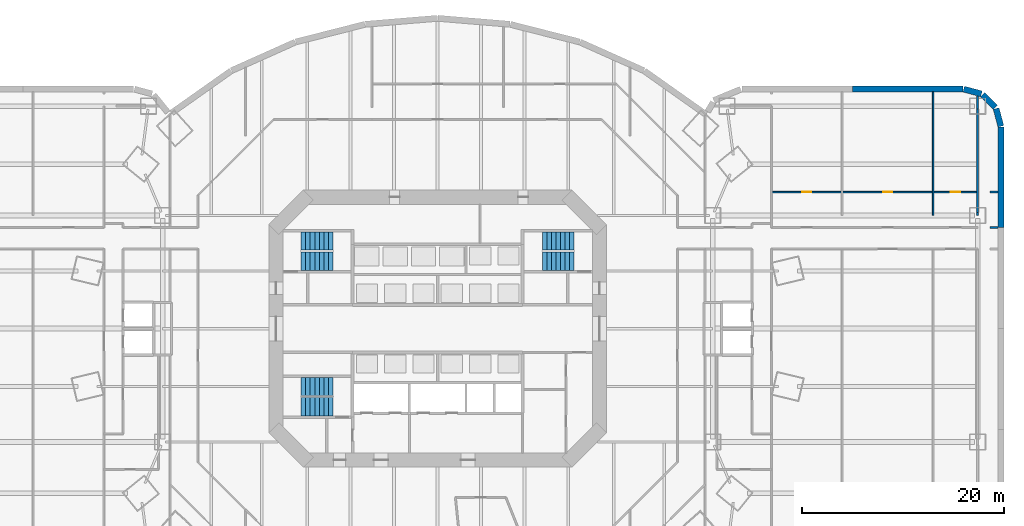
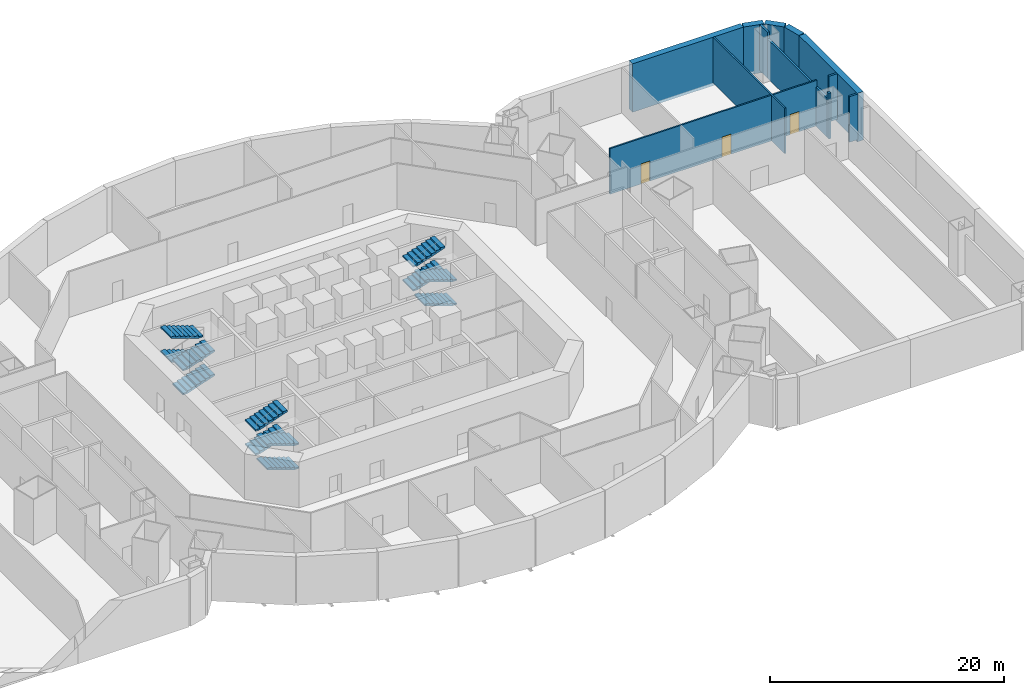
# One storey, part 9 of 11: 12 stair flights, 12 walls, 3 doors, 3 openings, 3 elements without a shape of their own.
"""IFC4 building model written with IfcOpenShell, lengths in metres."""

from ifc_helpers import new_model, si_unit, direction, frame, frame_2d, origin, place, context, subcontext, project, spatial, polyline, rectangle, outline, extrude, material, layer, layer_set, type_object, element, fill, aggregate, save


model = new_model("IFC4")

# Units and contexts
model_context = context("Model", 3, precision=1e-05, world=origin(), true_north=direction((0.0, 1.0)))
body_context = subcontext(model_context, "Body", "Model", "MODEL_VIEW")
ifc_project = project(units=[si_unit("LENGTHUNIT", "METRE"), si_unit("AREAUNIT", "SQUARE_METRE"), si_unit("VOLUMEUNIT", "CUBIC_METRE"), si_unit("PLANEANGLEUNIT", "RADIAN"), si_unit("MASSUNIT", "GRAM", prefix="KILO")], contexts=[model_context])

# Site, building, storey
site_placement = place(None, origin())
site = spatial("IfcSite", under=ifc_project, at=site_placement, CompositionType="ELEMENT")
building_placement = place(site_placement, origin())
building = spatial("IfcBuilding", under=site, at=building_placement, Name="Marenthal Gate Tower", CompositionType="ELEMENT")
storey_placement = place(building_placement, frame((0.0, 0.0, -5.0)))
storey = spatial("IfcBuildingStorey", under=building, at=storey_placement, Name="B1", CompositionType="ELEMENT", Elevation=-5.0)

# Walls
ifc_material_1 = material(Name="Concrete 50 MPa", Category="concrete")
ifc_layer_1 = layer(ifc_material_1, 0.60009765625)
ifc_layer_set_1 = layer_set([ifc_layer_1], Name="BASEMENT WALL 600")
wall_type_1 = type_object("IfcWallType", Name="BASEMENT WALL 600", PredefinedType="SOLIDWALL", material=ifc_layer_set_1)
wall_1_placement = place(storey_placement, frame((55.699951171875, 9.99072265625, -0.300048828125), z_axis=(0.0, 0.0, 1.0), x_axis=(0.0, 1.0, 0.0)))
element("IfcWall", 1, at=wall_1_placement, inside=storey, type_object=wall_type_1, Name="BW-B1-19", PredefinedType="SOLIDWALL", context=body_context, shape_type="SweptSolid", body=[
    extrude(rectangle(XDim=9.9501953125, YDim=0.60009765625, at=frame_2d((4.97509765625, 0.0))), origin(), (0.0, 0.0, 1.0), 5.050048828125),
])
wall_2_placement = place(storey_placement, frame((55.690185546875, 20.0166015625, -0.300048828125), z_axis=(0.0, 0.0, 1.0), x_axis=(-0.257411521733, 0.966301872336, 0.0)))
element("IfcWall", 2, at=wall_2_placement, inside=storey, type_object=wall_type_1, Name="BW-B1-20", PredefinedType="SOLIDWALL", context=body_context, shape_type="SweptSolid", body=[
    extrude(rectangle(XDim=1.8154296875, YDim=0.60009765625, at=frame_2d((0.90771484375, 0.0))), origin(), (0.0, 0.0, 1.0), 5.050048828125),
])
wall_3_placement = place(storey_placement, frame((55.146484375, 21.904052734375, -0.300048828125), z_axis=(0.0, 0.0, 1.0), x_axis=(-0.707037214875, 0.707176340655, 0.0)))
element("IfcWall", 3, at=wall_3_placement, inside=storey, type_object=wall_type_1, Name="BW-B1-21", PredefinedType="SOLIDWALL", context=body_context, shape_type="SweptSolid", body=[
    extrude(rectangle(XDim=1.7548828125, YDim=0.60009765625, at=frame_2d((0.87744140625, 0.0))), origin(), (0.0, 0.0, 1.0), 5.050048828125),
])
wall_4_placement = place(storey_placement, frame((53.77294921875, 23.22216796875, -0.300048828125), z_axis=(0.0, 0.0, 1.0), x_axis=(-0.966252788837, 0.257595706611, 0.0)))
element("IfcWall", 4, at=wall_4_placement, inside=storey, type_object=wall_type_1, Name="BW-B1-22", PredefinedType="SOLIDWALL", context=body_context, shape_type="SweptSolid", body=[
    extrude(rectangle(XDim=1.81591796875, YDim=0.60009765625, at=frame_2d((0.907958984375, 0.0))), origin(), (0.0, 0.0, 1.0), 5.050048828125),
])
wall_5_placement = place(storey_placement, frame((51.94287109375, 23.699951171875, -0.300048828125), z_axis=(0.0, 0.0, 1.0), x_axis=(-1.0, 0.0, 0.0)))
element("IfcWall", 5, at=wall_5_placement, inside=storey, type_object=wall_type_1, Name="BW-B1-23", PredefinedType="SOLIDWALL", context=body_context, shape_type="SweptSolid", body=[
    extrude(rectangle(XDim=10.94287109375, YDim=0.60009765625, at=frame_2d((5.471435546875, 0.0))), origin(), (0.0, 0.0, 1.0), 5.050048828125),
])

# Wall, openings, doors
ifc_material_2 = material(Name="Gypsum board on steel studs", Category="steel")
ifc_layer_2 = layer(ifc_material_2, 0.14990234375)
ifc_layer_set_2 = layer_set([ifc_layer_2], Name="Partition 150")
wall_type_2 = type_object("IfcWallType", Name="Partition 150", PredefinedType="PARTITIONING", material=ifc_layer_set_2)
wall_6_placement = place(storey_placement, frame((33.0, 13.5, 0.0), z_axis=(0.0, 0.0, 1.0), x_axis=(1.0, 0.0, 0.0)))
wall_6 = element("IfcWall", 6, at=wall_6_placement, inside=storey, type_object=wall_type_2, Name="Partition wall 90", PredefinedType="PARTITIONING", context=body_context, shape_type="SweptSolid", body=[
    extrude(rectangle(XDim=20.39990234375, YDim=0.14990234375, at=frame_2d((10.199951171875, 0.0))), origin(), (0.0, 0.0, 1.0), 4.75),
])
opening_1_placement = place(wall_6_placement, frame((3.050048828125, 0.0, 0.0)))
opening_1 = element("IfcOpeningElement", 7, at=opening_1_placement, cuts=wall_6, Name="Opening D011.09", PredefinedType="OPENING", context=body_context, shape_type="SweptSolid", body=[
    extrude(rectangle(XDim=0.89990234375, YDim=2.10009765625, at=frame_2d((0.449951171875, 1.050048828125))), frame((0.0, 0.0849609375, 0.0), z_axis=(0.0, -1.0, 0.0), x_axis=(1.0, 0.0, 0.0)), (0.0, 0.0, 1.0), 0.169921875),
])
opening_2_placement = place(wall_6_placement, frame((11.050048828125, 0.0, 0.0)))
opening_2 = element("IfcOpeningElement", 8, at=opening_2_placement, cuts=wall_6, Name="Opening D011.10", PredefinedType="OPENING", context=body_context, shape_type="SweptSolid", body=[
    extrude(rectangle(XDim=0.89990234375, YDim=2.10009765625, at=frame_2d((0.449951171875, 1.050048828125))), frame((0.0, 0.0849609375, 0.0), z_axis=(0.0, -1.0, 0.0), x_axis=(1.0, 0.0, 0.0)), (0.0, 0.0, 1.0), 0.169921875),
])
opening_3_placement = place(wall_6_placement, frame((17.75, 0.0, 0.0)))
opening_3 = element("IfcOpeningElement", 9, at=opening_3_placement, cuts=wall_6, Name="Opening D011.11", PredefinedType="OPENING", context=body_context, shape_type="SweptSolid", body=[
    extrude(rectangle(XDim=0.89990234375, YDim=2.10009765625, at=frame_2d((0.449951171875, 1.050048828125))), frame((0.0, 0.0849609375, 0.0), z_axis=(0.0, -1.0, 0.0), x_axis=(1.0, 0.0, 0.0)), (0.0, 0.0, 1.0), 0.169921875),
])
ifc_material_3 = material(Name="Timber door", Category="wood")
door_type = type_object("IfcDoorType", Name="Door 900 x 2100", OperationType="NOTDEFINED", PredefinedType="DOOR", material=ifc_material_3)
door_1_placement = place(opening_1_placement, frame((0.89990234375, 0.0, 0.0), z_axis=(0.0, 0.0, 1.0), x_axis=(-1.0, 0.0, 0.0)))
door_1 = element("IfcDoor", 10, at=door_1_placement, inside=storey, type_object=door_type, Name="Door D011.09", OperationType="SINGLE_SWING_LEFT", OverallHeight=2.10009765625, OverallWidth=0.89990234375, PredefinedType="DOOR", context=body_context, shape_type="SweptSolid", body=[
    extrude(rectangle(XDim=0.89990234375, YDim=2.10009765625, at=frame_2d((0.449951171875, 1.050048828125))), frame((0.0, 0.02490234375, 0.0), z_axis=(0.0, -1.0, 0.0), x_axis=(1.0, 0.0, 0.0)), (0.0, 0.0, 1.0), 0.050048828125),
])
fill(opening_1, door_1)
door_2_placement = place(opening_2_placement, frame((0.89990234375, 0.0, 0.0), z_axis=(0.0, 0.0, 1.0), x_axis=(-1.0, 0.0, 0.0)))
door_2 = element("IfcDoor", 11, at=door_2_placement, inside=storey, type_object=door_type, Name="Door D011.10", OperationType="SINGLE_SWING_LEFT", OverallHeight=2.10009765625, OverallWidth=0.89990234375, PredefinedType="DOOR", context=body_context, shape_type="SweptSolid", body=[
    extrude(rectangle(XDim=0.89990234375, YDim=2.10009765625, at=frame_2d((0.449951171875, 1.050048828125))), frame((0.0, 0.02490234375, 0.0), z_axis=(0.0, -1.0, 0.0), x_axis=(1.0, 0.0, 0.0)), (0.0, 0.0, 1.0), 0.050048828125),
])
fill(opening_2, door_2)
door_3_placement = place(opening_3_placement, frame((0.89990234375, 0.0, 0.0), z_axis=(0.0, 0.0, 1.0), x_axis=(-1.0, 0.0, 0.0)))
door_3 = element("IfcDoor", 12, at=door_3_placement, inside=storey, type_object=door_type, Name="Door D011.11", OperationType="SINGLE_SWING_LEFT", OverallHeight=2.10009765625, OverallWidth=0.89990234375, PredefinedType="DOOR", context=body_context, shape_type="SweptSolid", body=[
    extrude(rectangle(XDim=0.89990234375, YDim=2.10009765625, at=frame_2d((0.449951171875, 1.050048828125))), frame((0.0, 0.02490234375, 0.0), z_axis=(0.0, -1.0, 0.0), x_axis=(1.0, 0.0, 0.0)), (0.0, 0.0, 1.0), 0.050048828125),
])
fill(opening_3, door_3)

# Walls
wall_7_placement = place(storey_placement, frame((49.0, 11.199951171875, 0.0), z_axis=(0.0, 0.0, 1.0), x_axis=(0.0, 1.0, 0.0)))
element("IfcWall", 13, at=wall_7_placement, inside=storey, type_object=wall_type_2, Name="Partition wall 95", PredefinedType="PARTITIONING", context=body_context, shape_type="SweptSolid", body=[
    extrude(rectangle(XDim=12.2099609375, YDim=0.14990234375, at=frame_2d((6.10498046875, 0.0))), origin(), (0.0, 0.0, 1.0), 4.75),
])
ifc_material_4 = material(Name="Gypsum board on steel studs", Category="steel")
ifc_layer_3 = layer(ifc_material_4, 0.199951171875)
ifc_layer_set_3 = layer_set([ifc_layer_3], Name="Partition 200")
wall_type_3 = type_object("IfcWallType", Name="Partition 200", PredefinedType="PARTITIONING", material=ifc_layer_set_3)
wall_8_placement = place(storey_placement, frame((54.594970703125, 10.0, 0.0), z_axis=(0.0, 0.0, 1.0), x_axis=(1.0, 0.0, 0.0)))
element("IfcWall", 14, at=wall_8_placement, inside=storey, type_object=wall_type_3, Name="Partition wall 27", PredefinedType="PARTITIONING", context=body_context, shape_type="SweptSolid", body=[
    extrude(rectangle(XDim=0.804931640625, YDim=0.199951171875, at=frame_2d((0.40234375, 0.0))), origin(), (0.0, 0.0, 1.0), 4.75),
])
wall_9_placement = place(storey_placement, frame((54.594970703125, 13.5, 0.0), z_axis=(0.0, 0.0, 1.0), x_axis=(1.0, 0.0, 0.0)))
element("IfcWall", 15, at=wall_9_placement, inside=storey, type_object=wall_type_3, Name="Partition wall 28", PredefinedType="PARTITIONING", context=body_context, shape_type="SweptSolid", body=[
    extrude(rectangle(XDim=0.81494140625, YDim=0.199951171875, at=frame_2d((0.407470703125, 0.0))), origin(), (0.0, 0.0, 1.0), 4.75),
])
wall_10_placement = place(storey_placement, frame((53.39990234375, 11.199951171875, 0.0), z_axis=(0.0, 0.0, 1.0), x_axis=(0.0, 1.0, 0.0)))
element("IfcWall", 16, at=wall_10_placement, inside=storey, type_object=wall_type_3, Name="Partition wall 32", PredefinedType="PARTITIONING", context=body_context, shape_type="SweptSolid", body=[
    extrude(rectangle(XDim=0.300048828125, YDim=0.199951171875, at=frame_2d((0.14990234375, 0.0))), origin(), (0.0, 0.0, 1.0), 4.75),
])
wall_11_placement = place(storey_placement, frame((53.39990234375, 11.5, 0.0), z_axis=(0.0, 0.0, 1.0), x_axis=(0.0, 1.0, 0.0)))
element("IfcWall", 17, at=wall_11_placement, inside=storey, type_object=wall_type_3, Name="Partition wall 166", PredefinedType="PARTITIONING", context=body_context, shape_type="SweptSolid", body=[
    extrude(rectangle(XDim=10.199951171875, YDim=0.199951171875, at=frame_2d((5.10009765625, 0.0))), origin(), (0.0, 0.0, 1.0), 4.06689453125),
])
wall_12_placement = place(storey_placement, frame((53.39990234375, 21.699951171875, 0.0), z_axis=(0.0, 0.0, 1.0), x_axis=(0.0, 1.0, 0.0)))
element("IfcWall", 18, at=wall_12_placement, inside=storey, type_object=wall_type_3, Name="Partition wall 167", PredefinedType="PARTITIONING", context=body_context, shape_type="SweptSolid", body=[
    extrude(rectangle(XDim=1.3154296875, YDim=0.199951171875, at=frame_2d((0.65771484375, 0.0))), origin(), (0.0, 0.0, 1.0), 4.75),
])

# Stair, stair flights
ifc_material_5 = material(Name="Concrete 40 MPa", Category="concrete")
stair_type = type_object("IfcStairType", Name="Exit stair 1800", PredefinedType="HALF_TURN_STAIR", material=ifc_material_5)
stair_1_placement = place(storey_placement, origin())
stair_1 = element("IfcStair", 19, at=stair_1_placement, inside=storey, type_object=stair_type, Name="Stair ST1", PredefinedType="HALF_TURN_STAIR")
ifc_material_6 = material(Name="Concrete 40 MPa", Category="concrete")
stair_flight_type = type_object("IfcStairFlightType", Name="Stair flight 1800", PredefinedType="STRAIGHT", material=ifc_material_6)
stair_flight_1_placement = place(storey_placement, frame((-13.5, 6.675048828125, 0.0), z_axis=(0.0, 0.0, 1.0), x_axis=(1.0, 0.0, 0.0)))
stair_flight_1 = element("IfcStairFlight", 20, at=stair_flight_1_placement, type_object=stair_flight_type, Name="ST1 flight 1", NumberOfRisers=8, NumberOfTreads=7, PredefinedType="STRAIGHT", RiserHeight=0.15625, TreadLength=0.45, context=body_context, shape_type="SweptSolid", body=[
    extrude(outline(polyline([(0.0, 0.0), (0.0, 0.15625), (0.449951171875, 0.15625), (0.449951171875, 0.3125), (0.89990234375, 0.3125), (0.89990234375, 0.46875), (1.35009765625, 0.46875), (1.35009765625, 0.625), (1.800048828125, 0.625), (1.800048828125, 0.78125), (2.25, 0.78125), (2.25, 0.9375), (2.699951171875, 0.9375), (2.699951171875, 1.09375), (3.14990234375, 1.09375), (3.14990234375, 1.25), (3.14990234375, 0.93505859375), (0.45703125, 0.0), (0.0, 0.0)])), frame((0.0, 0.89990234375, 0.0), z_axis=(0.0, -1.0, 0.0), x_axis=(1.0, 0.0, 0.0)), (0.0, 0.0, 1.0), 1.800048828125),
])
stair_flight_2_placement = place(storey_placement, frame((-10.35009765625, 8.675048828125, 1.25), z_axis=(0.0, 0.0, 1.0), x_axis=(-1.0, 0.0, 0.0)))
stair_flight_2 = element("IfcStairFlight", 21, at=stair_flight_2_placement, type_object=stair_flight_type, Name="ST1 flight 2", NumberOfRisers=8, NumberOfTreads=7, PredefinedType="STRAIGHT", RiserHeight=0.15625, TreadLength=0.45, context=body_context, shape_type="SweptSolid", body=[
    extrude(outline(polyline([(0.0, 0.0), (0.0, 0.15625), (0.449951171875, 0.15625), (0.449951171875, 0.3125), (0.89990234375, 0.3125), (0.89990234375, 0.46875), (1.35009765625, 0.46875), (1.35009765625, 0.625), (1.800048828125, 0.625), (1.800048828125, 0.78125), (2.25, 0.78125), (2.25, 0.9375), (2.699951171875, 0.9375), (2.699951171875, 1.09375), (3.14990234375, 1.09375), (3.14990234375, 1.25), (3.14990234375, 0.93505859375), (0.45703125, 0.0), (0.0, 0.0)])), frame((0.0, 0.89990234375, 0.0), z_axis=(0.0, -1.0, 0.0), x_axis=(1.0, 0.0, 0.0)), (0.0, 0.0, 1.0), 1.800048828125),
])
stair_flight_3_placement = place(storey_placement, frame((-13.5, 6.675048828125, 2.5), z_axis=(0.0, 0.0, 1.0), x_axis=(1.0, 0.0, 0.0)))
stair_flight_3 = element("IfcStairFlight", 22, at=stair_flight_3_placement, type_object=stair_flight_type, Name="ST1 flight 3", NumberOfRisers=8, NumberOfTreads=7, PredefinedType="STRAIGHT", RiserHeight=0.15625, TreadLength=0.45, context=body_context, shape_type="SweptSolid", body=[
    extrude(outline(polyline([(0.0, 0.0), (0.0, 0.15625), (0.449951171875, 0.15625), (0.449951171875, 0.3125), (0.89990234375, 0.3125), (0.89990234375, 0.46875), (1.35009765625, 0.46875), (1.35009765625, 0.625), (1.800048828125, 0.625), (1.800048828125, 0.78125), (2.25, 0.78125), (2.25, 0.9375), (2.699951171875, 0.9375), (2.699951171875, 1.09375), (3.14990234375, 1.09375), (3.14990234375, 1.25), (3.14990234375, 0.93505859375), (0.45703125, 0.0), (0.0, 0.0)])), frame((0.0, 0.89990234375, 0.0), z_axis=(0.0, -1.0, 0.0), x_axis=(1.0, 0.0, 0.0)), (0.0, 0.0, 1.0), 1.800048828125),
])
stair_flight_4_placement = place(storey_placement, frame((-10.35009765625, 8.675048828125, 3.75), z_axis=(0.0, 0.0, 1.0), x_axis=(-1.0, 0.0, 0.0)))
stair_flight_4 = element("IfcStairFlight", 23, at=stair_flight_4_placement, type_object=stair_flight_type, Name="ST1 flight 4", NumberOfRisers=8, NumberOfTreads=7, PredefinedType="STRAIGHT", RiserHeight=0.15625, TreadLength=0.45, context=body_context, shape_type="SweptSolid", body=[
    extrude(outline(polyline([(0.0, 0.0), (0.0, 0.15625), (0.449951171875, 0.15625), (0.449951171875, 0.3125), (0.89990234375, 0.3125), (0.89990234375, 0.46875), (1.35009765625, 0.46875), (1.35009765625, 0.625), (1.800048828125, 0.625), (1.800048828125, 0.78125), (2.25, 0.78125), (2.25, 0.9375), (2.699951171875, 0.9375), (2.699951171875, 1.09375), (3.14990234375, 1.09375), (3.14990234375, 1.25), (3.14990234375, 0.93505859375), (0.45703125, 0.0), (0.0, 0.0)])), frame((0.0, 0.89990234375, 0.0), z_axis=(0.0, -1.0, 0.0), x_axis=(1.0, 0.0, 0.0)), (0.0, 0.0, 1.0), 1.800048828125),
])
aggregate(stair_1, [stair_flight_1, stair_flight_2, stair_flight_3, stair_flight_4])

stair_2_placement = place(storey_placement, origin())
stair_2 = element("IfcStair", 24, at=stair_2_placement, inside=storey, type_object=stair_type, Name="Stair ST2", PredefinedType="HALF_TURN_STAIR")
stair_flight_5_placement = place(storey_placement, frame((-10.35009765625, -7.72509765625, 0.0), z_axis=(0.0, 0.0, 1.0), x_axis=(-1.0, 0.0, 0.0)))
stair_flight_5 = element("IfcStairFlight", 25, at=stair_flight_5_placement, type_object=stair_flight_type, Name="ST2 flight 1", NumberOfRisers=8, NumberOfTreads=7, PredefinedType="STRAIGHT", RiserHeight=0.15625, TreadLength=0.45, context=body_context, shape_type="SweptSolid", body=[
    extrude(outline(polyline([(0.0, 0.0), (0.0, 0.15625), (0.449951171875, 0.15625), (0.449951171875, 0.3125), (0.89990234375, 0.3125), (0.89990234375, 0.46875), (1.35009765625, 0.46875), (1.35009765625, 0.625), (1.800048828125, 0.625), (1.800048828125, 0.78125), (2.25, 0.78125), (2.25, 0.9375), (2.699951171875, 0.9375), (2.699951171875, 1.09375), (3.14990234375, 1.09375), (3.14990234375, 1.25), (3.14990234375, 0.93505859375), (0.45703125, 0.0), (0.0, 0.0)])), frame((0.0, 0.89990234375, 0.0), z_axis=(0.0, -1.0, 0.0), x_axis=(1.0, 0.0, 0.0)), (0.0, 0.0, 1.0), 1.800048828125),
])
stair_flight_6_placement = place(storey_placement, frame((-13.5, -5.72509765625, 1.25), z_axis=(0.0, 0.0, 1.0), x_axis=(1.0, 0.0, 0.0)))
stair_flight_6 = element("IfcStairFlight", 26, at=stair_flight_6_placement, type_object=stair_flight_type, Name="ST2 flight 2", NumberOfRisers=8, NumberOfTreads=7, PredefinedType="STRAIGHT", RiserHeight=0.15625, TreadLength=0.45, context=body_context, shape_type="SweptSolid", body=[
    extrude(outline(polyline([(0.0, 0.0), (0.0, 0.15625), (0.449951171875, 0.15625), (0.449951171875, 0.3125), (0.89990234375, 0.3125), (0.89990234375, 0.46875), (1.35009765625, 0.46875), (1.35009765625, 0.625), (1.800048828125, 0.625), (1.800048828125, 0.78125), (2.25, 0.78125), (2.25, 0.9375), (2.699951171875, 0.9375), (2.699951171875, 1.09375), (3.14990234375, 1.09375), (3.14990234375, 1.25), (3.14990234375, 0.93505859375), (0.45703125, 0.0), (0.0, 0.0)])), frame((0.0, 0.89990234375, 0.0), z_axis=(0.0, -1.0, 0.0), x_axis=(1.0, 0.0, 0.0)), (0.0, 0.0, 1.0), 1.800048828125),
])
stair_flight_7_placement = place(storey_placement, frame((-10.35009765625, -7.72509765625, 2.5), z_axis=(0.0, 0.0, 1.0), x_axis=(-1.0, 0.0, 0.0)))
stair_flight_7 = element("IfcStairFlight", 27, at=stair_flight_7_placement, type_object=stair_flight_type, Name="ST2 flight 3", NumberOfRisers=8, NumberOfTreads=7, PredefinedType="STRAIGHT", RiserHeight=0.15625, TreadLength=0.45, context=body_context, shape_type="SweptSolid", body=[
    extrude(outline(polyline([(0.0, 0.0), (0.0, 0.15625), (0.449951171875, 0.15625), (0.449951171875, 0.3125), (0.89990234375, 0.3125), (0.89990234375, 0.46875), (1.35009765625, 0.46875), (1.35009765625, 0.625), (1.800048828125, 0.625), (1.800048828125, 0.78125), (2.25, 0.78125), (2.25, 0.9375), (2.699951171875, 0.9375), (2.699951171875, 1.09375), (3.14990234375, 1.09375), (3.14990234375, 1.25), (3.14990234375, 0.93505859375), (0.45703125, 0.0), (0.0, 0.0)])), frame((0.0, 0.89990234375, 0.0), z_axis=(0.0, -1.0, 0.0), x_axis=(1.0, 0.0, 0.0)), (0.0, 0.0, 1.0), 1.800048828125),
])
stair_flight_8_placement = place(storey_placement, frame((-13.5, -5.72509765625, 3.75), z_axis=(0.0, 0.0, 1.0), x_axis=(1.0, 0.0, 0.0)))
stair_flight_8 = element("IfcStairFlight", 28, at=stair_flight_8_placement, type_object=stair_flight_type, Name="ST2 flight 4", NumberOfRisers=8, NumberOfTreads=7, PredefinedType="STRAIGHT", RiserHeight=0.15625, TreadLength=0.45, context=body_context, shape_type="SweptSolid", body=[
    extrude(outline(polyline([(0.0, 0.0), (0.0, 0.15625), (0.449951171875, 0.15625), (0.449951171875, 0.3125), (0.89990234375, 0.3125), (0.89990234375, 0.46875), (1.35009765625, 0.46875), (1.35009765625, 0.625), (1.800048828125, 0.625), (1.800048828125, 0.78125), (2.25, 0.78125), (2.25, 0.9375), (2.699951171875, 0.9375), (2.699951171875, 1.09375), (3.14990234375, 1.09375), (3.14990234375, 1.25), (3.14990234375, 0.93505859375), (0.45703125, 0.0), (0.0, 0.0)])), frame((0.0, 0.89990234375, 0.0), z_axis=(0.0, -1.0, 0.0), x_axis=(1.0, 0.0, 0.0)), (0.0, 0.0, 1.0), 1.800048828125),
])
aggregate(stair_2, [stair_flight_5, stair_flight_6, stair_flight_7, stair_flight_8])

stair_3_placement = place(storey_placement, origin())
stair_3 = element("IfcStair", 29, at=stair_3_placement, inside=storey, type_object=stair_type, Name="Stair ST3", PredefinedType="HALF_TURN_STAIR")
stair_flight_9_placement = place(storey_placement, frame((13.5, 6.675048828125, 0.0), z_axis=(0.0, 0.0, 1.0), x_axis=(-1.0, 0.0, 0.0)))
stair_flight_9 = element("IfcStairFlight", 30, at=stair_flight_9_placement, type_object=stair_flight_type, Name="ST3 flight 1", NumberOfRisers=8, NumberOfTreads=7, PredefinedType="STRAIGHT", RiserHeight=0.15625, TreadLength=0.45, context=body_context, shape_type="SweptSolid", body=[
    extrude(outline(polyline([(0.0, 0.0), (0.0, 0.15625), (0.449951171875, 0.15625), (0.449951171875, 0.3125), (0.89990234375, 0.3125), (0.89990234375, 0.46875), (1.35009765625, 0.46875), (1.35009765625, 0.625), (1.800048828125, 0.625), (1.800048828125, 0.78125), (2.25, 0.78125), (2.25, 0.9375), (2.699951171875, 0.9375), (2.699951171875, 1.09375), (3.14990234375, 1.09375), (3.14990234375, 1.25), (3.14990234375, 0.93505859375), (0.45703125, 0.0), (0.0, 0.0)])), frame((0.0, 0.89990234375, 0.0), z_axis=(0.0, -1.0, 0.0), x_axis=(1.0, 0.0, 0.0)), (0.0, 0.0, 1.0), 1.800048828125),
])
stair_flight_10_placement = place(storey_placement, frame((10.35009765625, 8.675048828125, 1.25), z_axis=(0.0, 0.0, 1.0), x_axis=(1.0, 0.0, 0.0)))
stair_flight_10 = element("IfcStairFlight", 31, at=stair_flight_10_placement, type_object=stair_flight_type, Name="ST3 flight 2", NumberOfRisers=8, NumberOfTreads=7, PredefinedType="STRAIGHT", RiserHeight=0.15625, TreadLength=0.45, context=body_context, shape_type="SweptSolid", body=[
    extrude(outline(polyline([(0.0, 0.0), (0.0, 0.15625), (0.449951171875, 0.15625), (0.449951171875, 0.3125), (0.89990234375, 0.3125), (0.89990234375, 0.46875), (1.35009765625, 0.46875), (1.35009765625, 0.625), (1.800048828125, 0.625), (1.800048828125, 0.78125), (2.25, 0.78125), (2.25, 0.9375), (2.699951171875, 0.9375), (2.699951171875, 1.09375), (3.14990234375, 1.09375), (3.14990234375, 1.25), (3.14990234375, 0.93505859375), (0.45703125, 0.0), (0.0, 0.0)])), frame((0.0, 0.89990234375, 0.0), z_axis=(0.0, -1.0, 0.0), x_axis=(1.0, 0.0, 0.0)), (0.0, 0.0, 1.0), 1.800048828125),
])
stair_flight_11_placement = place(storey_placement, frame((13.5, 6.675048828125, 2.5), z_axis=(0.0, 0.0, 1.0), x_axis=(-1.0, 0.0, 0.0)))
stair_flight_11 = element("IfcStairFlight", 32, at=stair_flight_11_placement, type_object=stair_flight_type, Name="ST3 flight 3", NumberOfRisers=8, NumberOfTreads=7, PredefinedType="STRAIGHT", RiserHeight=0.15625, TreadLength=0.45, context=body_context, shape_type="SweptSolid", body=[
    extrude(outline(polyline([(0.0, 0.0), (0.0, 0.15625), (0.449951171875, 0.15625), (0.449951171875, 0.3125), (0.89990234375, 0.3125), (0.89990234375, 0.46875), (1.35009765625, 0.46875), (1.35009765625, 0.625), (1.800048828125, 0.625), (1.800048828125, 0.78125), (2.25, 0.78125), (2.25, 0.9375), (2.699951171875, 0.9375), (2.699951171875, 1.09375), (3.14990234375, 1.09375), (3.14990234375, 1.25), (3.14990234375, 0.93505859375), (0.45703125, 0.0), (0.0, 0.0)])), frame((0.0, 0.89990234375, 0.0), z_axis=(0.0, -1.0, 0.0), x_axis=(1.0, 0.0, 0.0)), (0.0, 0.0, 1.0), 1.800048828125),
])
stair_flight_12_placement = place(storey_placement, frame((10.35009765625, 8.675048828125, 3.75), z_axis=(0.0, 0.0, 1.0), x_axis=(1.0, 0.0, 0.0)))
stair_flight_12 = element("IfcStairFlight", 33, at=stair_flight_12_placement, type_object=stair_flight_type, Name="ST3 flight 4", NumberOfRisers=8, NumberOfTreads=7, PredefinedType="STRAIGHT", RiserHeight=0.15625, TreadLength=0.45, context=body_context, shape_type="SweptSolid", body=[
    extrude(outline(polyline([(0.0, 0.0), (0.0, 0.15625), (0.449951171875, 0.15625), (0.449951171875, 0.3125), (0.89990234375, 0.3125), (0.89990234375, 0.46875), (1.35009765625, 0.46875), (1.35009765625, 0.625), (1.800048828125, 0.625), (1.800048828125, 0.78125), (2.25, 0.78125), (2.25, 0.9375), (2.699951171875, 0.9375), (2.699951171875, 1.09375), (3.14990234375, 1.09375), (3.14990234375, 1.25), (3.14990234375, 0.93505859375), (0.45703125, 0.0), (0.0, 0.0)])), frame((0.0, 0.89990234375, 0.0), z_axis=(0.0, -1.0, 0.0), x_axis=(1.0, 0.0, 0.0)), (0.0, 0.0, 1.0), 1.800048828125),
])
aggregate(stair_3, [stair_flight_9, stair_flight_10, stair_flight_11, stair_flight_12])

save(model, "model.ifc")
